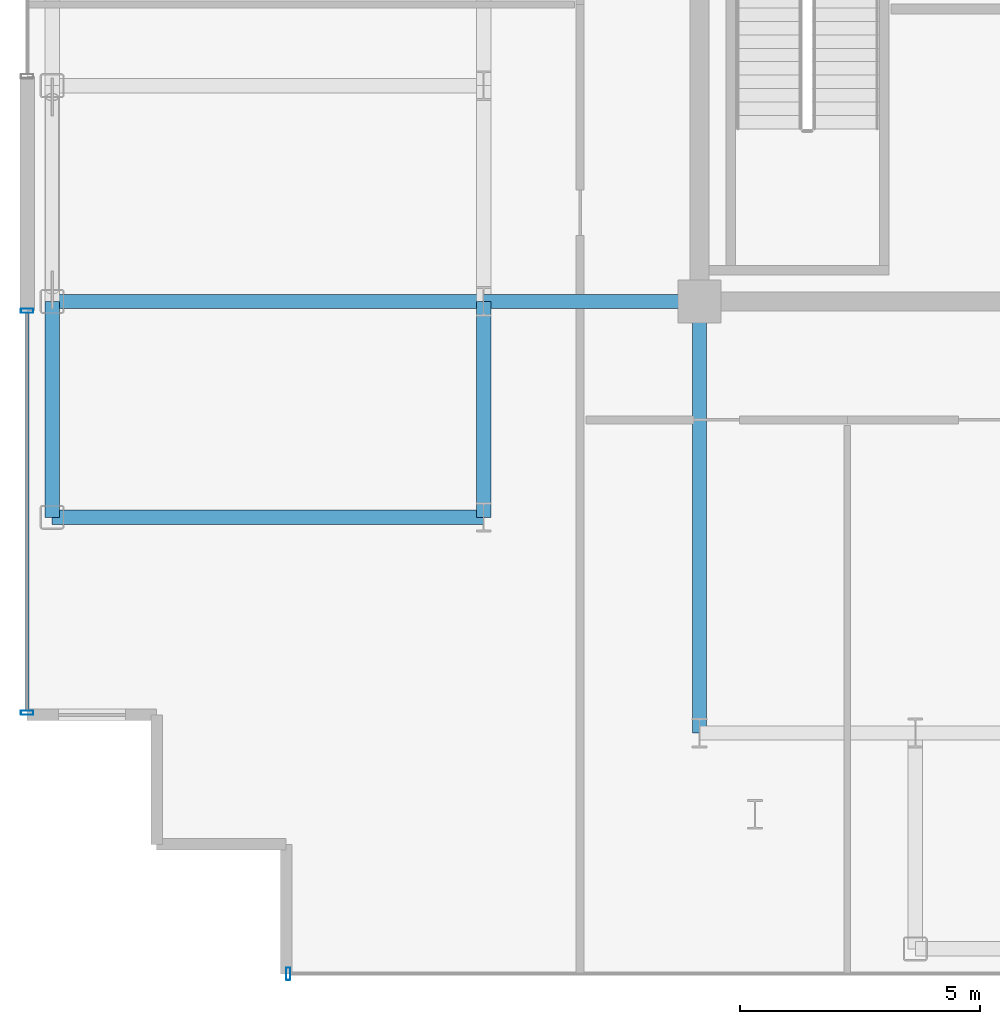
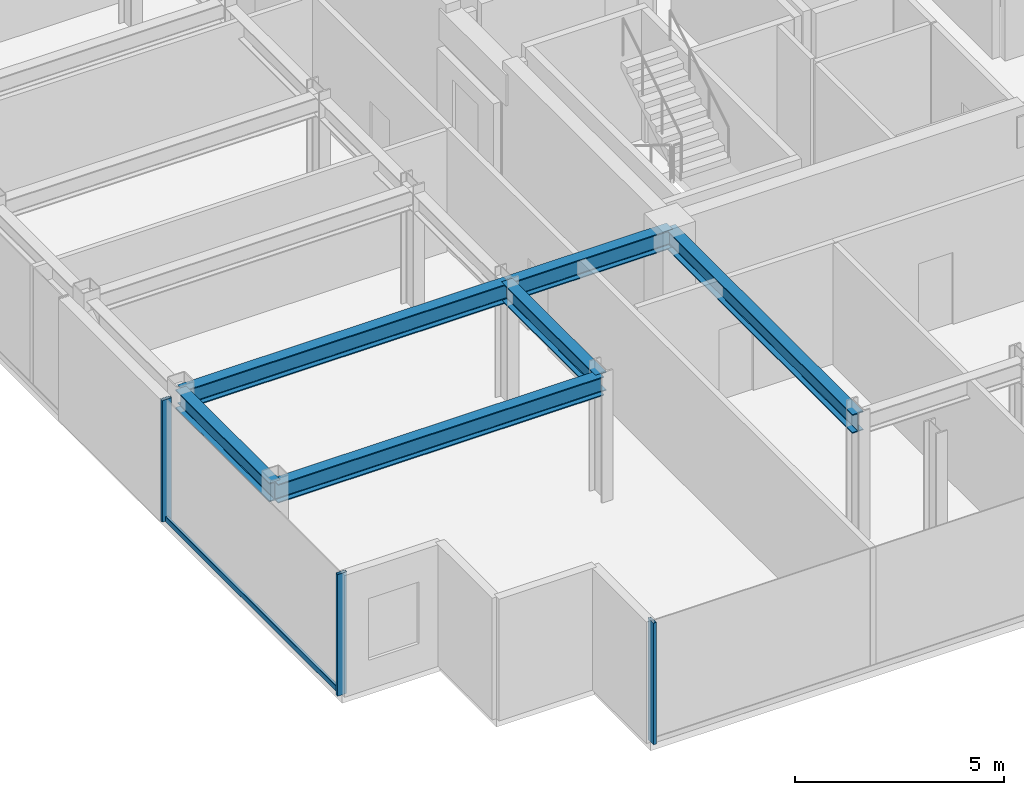
# One storey, part 2 of 16: 6 beams, 4 members, 2 elements without a shape of their own.
"""IFC4 building model written with IfcOpenShell, lengths in metres."""

from ifc_helpers import new_model, si_unit, direction, frame, origin, origin_2d, place, context, subcontext, project, spatial, hollow_rectangle, i_section, extrude, source, transform, mapped, material, layer, layer_set, material_profile, profile_set, type_object, element, aggregate, save


model = new_model("IFC4")

# Units and contexts
model_context = context("Model", 3, precision=1e-05, world=origin(), true_north=direction((0.0, 1.0)))
body_context = subcontext(model_context, "Body", "Model", "MODEL_VIEW")
ifc_project = project(units=[si_unit("LENGTHUNIT", "METRE"), si_unit("AREAUNIT", "SQUARE_METRE"), si_unit("VOLUMEUNIT", "CUBIC_METRE"), si_unit("PLANEANGLEUNIT", "RADIAN"), si_unit("MASSUNIT", "GRAM", prefix="KILO")], contexts=[model_context])

# Site, building, storey
site_placement = place(None, origin())
site = spatial("IfcSite", under=ifc_project, at=site_placement, CompositionType="ELEMENT")
building_placement = place(site_placement, origin())
building = spatial("IfcBuilding", under=site, at=building_placement, Name="Nefas-Gora Pilgrimage Tower", CompositionType="ELEMENT")
storey_placement = place(building_placement, frame((0.0, 0.0, 333.800048828125)))
storey = spatial("IfcBuildingStorey", under=building, at=storey_placement, Name="L84", CompositionType="ELEMENT", Elevation=333.800048828125)

# Beams
ifc_material_1 = material(Name="Steel S355", Category="steel")
ifc_material_profile_1 = material_profile(ifc_material_1, i_section(OverallWidth=0.300048828125, OverallDepth=0.550048828125, WebThickness=0.014892578125, FlangeThickness=0.029052734375, FilletRadius=0.027099609375, at=origin_2d()), Name="HEB 550")
ifc_profile_set_1 = profile_set([ifc_material_profile_1], Name="Steel S355")
beam_type_1 = type_object("IfcBeamType", Name="BM-SPN-HEB400", PredefinedType="SPANDREL", material=ifc_profile_set_1)
shared_shape_1 = source(origin(), body_context, "Body", "SweptSolid", [
    extrude(i_section(OverallWidth=0.300048828125, OverallDepth=0.550048828125, WebThickness=0.014892578125, FlangeThickness=0.029052734375, FilletRadius=0.027099609375, at=origin_2d()), origin(), (0.0, 0.0, 1.0), 4.5),
])
beam_placement = place(storey_placement, frame((-24.75, -13.5, 3.27490234375), z_axis=(0.0, 1.0, 0.0), x_axis=(-1.0, 0.0, 0.0)))
element("IfcBeam", 1, at=beam_placement, inside=storey, type_object=beam_type_1, Name="L84 SP-04 beam", PredefinedType="SPANDREL", context=body_context, shape_type="MappedRepresentation", body=[
    mapped(shared_shape_1, transform((0.0, 0.0, 0.0), x_axis=(1.0, 0.0, 0.0), y_axis=(0.0, 1.0, 0.0), z_axis=(0.0, 0.0, 1.0), scale=1.0)),
])
ifc_material_profile_2 = material_profile(ifc_material_1, i_section(OverallWidth=0.300048828125, OverallDepth=0.550048828125, WebThickness=0.014892578125, FlangeThickness=0.029052734375, FilletRadius=0.027099609375, at=origin_2d()), Name="HEB 550")
ifc_profile_set_2 = profile_set([ifc_material_profile_2], Name="Steel S355")
beam_type_2 = type_object("IfcBeamType", Name="BM-GIR-HEB550", PredefinedType="BEAM", material=ifc_profile_set_2)
shared_shape_2 = source(origin(), body_context, "Body", "SweptSolid", [
    extrude(i_section(OverallWidth=0.300048828125, OverallDepth=0.550048828125, WebThickness=0.014892578125, FlangeThickness=0.029052734375, FilletRadius=0.027099609375, at=origin_2d()), origin(), (0.0, 0.0, 1.0), 9.0),
])
for number, where, z_axis, x_axis, name in (
    (2, (-24.75, -13.5, 3.27490234375), (1.0, 0.0, 0.0), (0.0, 1.0, 0.0), "L84 G-05 beam"),
    (3, (-24.75, -9.0, 3.27490234375), (1.0, 0.0, 0.0), (0.0, 1.0, 0.0), "L84 G-05 beam"),
    (4, (-11.25, -18.0, 3.27490234375), (0.0, 1.0, 0.0), (-1.0, 0.0, 0.0), "L84 G-05 beam"),
):
    element("IfcBeam", number, at=place(storey_placement, frame(where, z_axis=z_axis, x_axis=x_axis)), inside=storey, type_object=beam_type_2, Name=name, PredefinedType="BEAM", context=body_context, shape_type="MappedRepresentation", body=[
        mapped(shared_shape_2, transform((0.0, 0.0, 0.0), x_axis=(1.0, 0.0, 0.0), y_axis=(0.0, 1.0, 0.0), z_axis=(0.0, 0.0, 1.0), scale=1.0)),
    ])
shared_shape_3 = source(origin(), body_context, "Body", "SweptSolid", [
    extrude(i_section(OverallWidth=0.300048828125, OverallDepth=0.550048828125, WebThickness=0.014892578125, FlangeThickness=0.029052734375, FilletRadius=0.027099609375, at=origin_2d()), origin(), (0.0, 0.0, 1.0), 4.5),
])
for number, where, z_axis, x_axis, name in (
    (5, (-15.75, -13.5, 3.27490234375), (0.0, 1.0, 0.0), (-1.0, 0.0, 0.0), "L84 G-05 beam"),
    (6, (-15.75, -9.0, 3.27490234375), (1.0, 0.0, 0.0), (0.0, 1.0, 0.0), "L84 G-05 beam"),
):
    element("IfcBeam", number, at=place(storey_placement, frame(where, z_axis=z_axis, x_axis=x_axis)), inside=storey, type_object=beam_type_2, Name=name, PredefinedType="BEAM", context=body_context, shape_type="MappedRepresentation", body=[
        mapped(shared_shape_3, transform((0.0, 0.0, 0.0), x_axis=(1.0, 0.0, 0.0), y_axis=(0.0, 1.0, 0.0), z_axis=(0.0, 0.0, 1.0), scale=1.0)),
    ])

# Curtain wall, members
ifc_material_2 = material(Name="Dark ceramic-fritted solar-control aluminium-glass curtain wall", Category="aluminium")
ifc_layer = layer(ifc_material_2, 0.219970703125)
ifc_layer_set = layer_set([ifc_layer], Name="Dark ceramic-fritted solar-control aluminium-glass curtain wall")
curtain_wall_type = type_object("IfcCurtainWallType", Name="CW-SYS-4", PredefinedType="NOTDEFINED", material=ifc_layer_set)
curtain_wall_1_placement = place(storey_placement, origin())
curtain_wall_1 = element("IfcCurtainWall", 7, at=curtain_wall_1_placement, inside=storey, type_object=curtain_wall_type, Name="L84 Unitised Curtain Wall CW4", PredefinedType="NOTDEFINED")
ifc_material_3 = material(Name="Anodised architectural aluminium", Category="aluminium")
ifc_material_profile_3 = material_profile(ifc_material_3, hollow_rectangle(XDim=0.080078125, YDim=0.159912109375, WallThickness=0.00439453125, InnerFilletRadius=0.00439453125, OuterFilletRadius=0.009033203125, at=origin_2d()), Name="ALU TRANSOM 80x160")
ifc_profile_set_3 = profile_set([ifc_material_profile_3], Name="Anodised architectural aluminium")
member_type_1 = type_object("IfcMemberType", Name="CWM-TRN-4", PredefinedType="USERDEFINED", material=ifc_profile_set_3)
shared_shape_4 = source(origin(), body_context, "Body", "SweptSolid", [
    extrude(hollow_rectangle(XDim=0.080078125, YDim=0.159912109375, WallThickness=0.00439453125, InnerFilletRadius=0.00439453125, OuterFilletRadius=0.009033203125, at=origin_2d()), origin(), (0.0, 0.0, 1.0), 8.2900390625),
])
member_1_placement = place(storey_placement, frame((-25.27001953125, -9.239990234375, 0.050048828125), z_axis=(0.0, -1.0, 0.0), x_axis=(1.0, 0.0, 0.0)))
member_1 = element("IfcMember", 8, at=member_1_placement, type_object=member_type_1, Name="CW4 Spandrel Transom", ObjectType="TRANSOM", PredefinedType="USERDEFINED", context=body_context, shape_type="MappedRepresentation", body=[
    mapped(shared_shape_4, transform((0.0, 0.0, 0.0), x_axis=(1.0, 0.0, 0.0), y_axis=(0.0, 1.0, 0.0), z_axis=(0.0, 0.0, 1.0), scale=1.0)),
])
ifc_material_profile_4 = material_profile(ifc_material_3, hollow_rectangle(XDim=0.090087890625, YDim=0.260009765625, WallThickness=0.006103515625, InnerFilletRadius=0.006103515625, OuterFilletRadius=0.011962890625, at=origin_2d()), Name="ALU MULLION 90x260")
ifc_profile_set_4 = profile_set([ifc_material_profile_4], Name="Anodised architectural aluminium")
member_type_2 = type_object("IfcMemberType", Name="CWM-MUL-4", PredefinedType="MULLION", material=ifc_profile_set_4)
shared_shape_5 = source(origin(), body_context, "Body", "SweptSolid", [
    extrude(hollow_rectangle(XDim=0.090087890625, YDim=0.260009765625, WallThickness=0.006103515625, InnerFilletRadius=0.006103515625, OuterFilletRadius=0.011962890625, at=origin_2d()), origin(), (0.0, 0.0, 1.0), 3.550048828125),
])
member_2_placement = place(storey_placement, frame((-25.27001953125, -9.195068359375, 0.0), z_axis=(0.0, 0.0, 1.0), x_axis=(0.0, -1.0, 0.0)))
member_2 = element("IfcMember", 9, at=member_2_placement, type_object=member_type_2, Name="CW4 Mullion 1", PredefinedType="MULLION", context=body_context, shape_type="MappedRepresentation", body=[
    mapped(shared_shape_5, transform((0.0, 0.0, 0.0), x_axis=(1.0, 0.0, 0.0), y_axis=(0.0, 1.0, 0.0), z_axis=(0.0, 0.0, 1.0), scale=1.0)),
])
member_3_placement = place(storey_placement, frame((-25.27001953125, -17.574951171875, 0.0), z_axis=(0.0, 0.0, 1.0), x_axis=(0.0, -1.0, 0.0)))
member_3 = element("IfcMember", 10, at=member_3_placement, type_object=member_type_2, Name="CW4 Mullion 2", PredefinedType="MULLION", context=body_context, shape_type="MappedRepresentation", body=[
    mapped(shared_shape_5, transform((0.0, 0.0, 0.0), x_axis=(1.0, 0.0, 0.0), y_axis=(0.0, 1.0, 0.0), z_axis=(0.0, 0.0, 1.0), scale=1.0)),
])
aggregate(curtain_wall_1, [member_2, member_3, member_1])

# Curtain wall, member
curtain_wall_2_placement = place(storey_placement, origin())
curtain_wall_2 = element("IfcCurtainWall", 11, at=curtain_wall_2_placement, inside=storey, type_object=curtain_wall_type, Name="L84 Unitised Curtain Wall CW4", PredefinedType="NOTDEFINED")
member_4_placement = place(storey_placement, frame((-19.824951171875, -23.02001953125, 0.0), z_axis=(0.0, 0.0, 1.0), x_axis=(1.0, 0.0, 0.0)))
member_4 = element("IfcMember", 12, at=member_4_placement, type_object=member_type_2, Name="CW4 Mullion 1", PredefinedType="MULLION", context=body_context, shape_type="MappedRepresentation", body=[
    mapped(shared_shape_5, transform((0.0, 0.0, 0.0), x_axis=(1.0, 0.0, 0.0), y_axis=(0.0, 1.0, 0.0), z_axis=(0.0, 0.0, 1.0), scale=1.0)),
])
aggregate(curtain_wall_2, [member_4])

save(model, "model.ifc")
